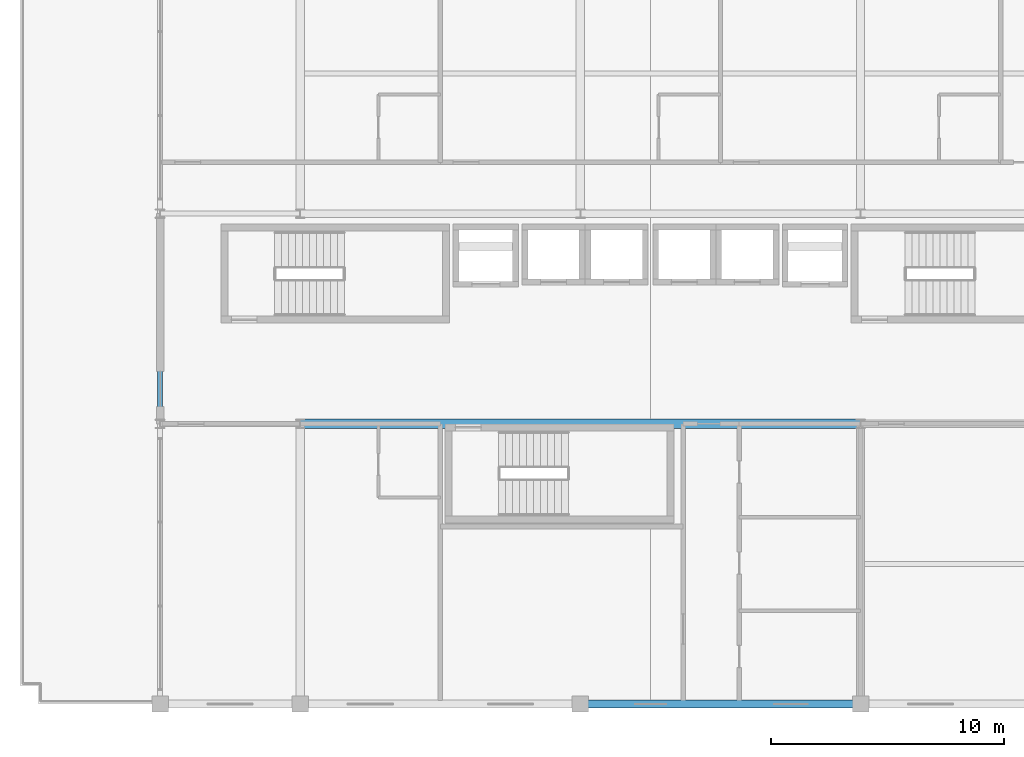
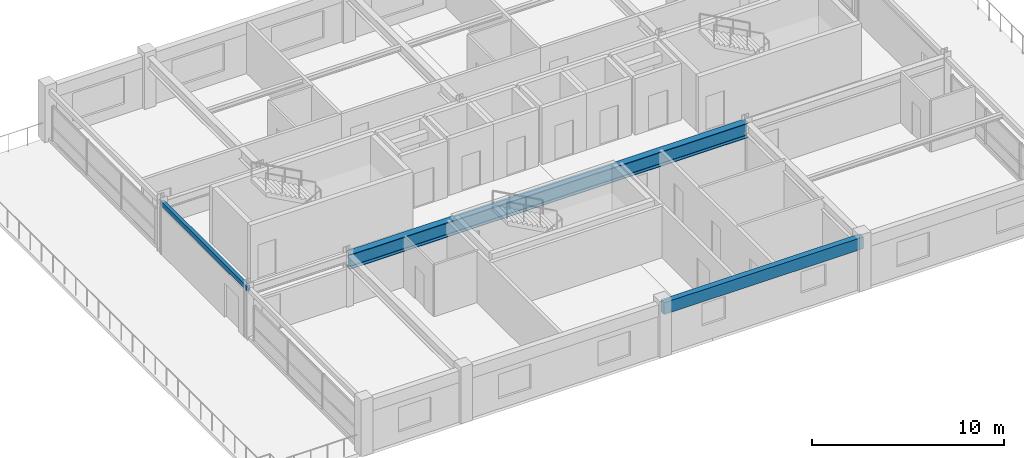
# One storey, part 5 of 24: 3 beams.
"""IFC4 building model written with IfcOpenShell, lengths in metres."""

import ifcopenshell
import ifcopenshell.guid

model = None  # the IFC model being written
_history = None  # IfcOwnerHistory: only IFC2X3 demands one
_inside = {}  # id of a spatial element -> (the spatial element, [elements in it])
_under = {}  # id of a project, library or spatial element -> (it, [spatial elements below it])
_declared = {}  # id of a project -> (the project, [libraries it declares])
_typed = {}  # id of a type object -> (the type object, [elements of that type])
_made_of = {}  # id of a material, layer set ... -> (it, [elements and type objects made of it])


def new_model(schema):
    """Start an empty IFC model of exactly this schema.

    Asked for "IFC4X3", IfcOpenShell would pick the latest addendum, in which some entities
    have other attributes; the version numbers below select the first issue.
    IFC2X3 requires an IfcOwnerHistory on every rooted entity: one is made here for all.
    """
    global model, _history
    if schema == "IFC4X3":
        model = ifcopenshell.file(schema_version=(4, 3, 0, 0))
    else:
        model = ifcopenshell.file(schema=schema)
    _inside.clear()
    _under.clear()
    _declared.clear()
    _typed.clear()
    _made_of.clear()
    _history = None
    if model.schema == "IFC2X3":
        org = make("IfcOrganization", Name="unknown")
        user = make(
            "IfcPersonAndOrganization",
            ThePerson=make("IfcPerson", FamilyName="unknown"),
            TheOrganization=org,
        )
        app = make(
            "IfcApplication",
            ApplicationDeveloper=org,
            Version="unknown",
            ApplicationFullName="unknown",
            ApplicationIdentifier="unknown",
        )
        _history = make(
            "IfcOwnerHistory",
            OwningUser=user,
            OwningApplication=app,
            ChangeAction="ADDED",
            CreationDate=0,
        )
    return model


def make(cls, **values):
    """One entity of the class cls with the attributes given. An attribute that is None is left unset."""
    return model.create_entity(
        cls, **{name: value for name, value in values.items() if value is not None}
    )


def rooted(cls, **values):
    """An entity with a GlobalId (a new one), such as an element, a storey or a relation."""
    return make(cls, GlobalId=ifcopenshell.guid.new(), OwnerHistory=_history, **values)


def si_unit(unit_type, name, prefix=None):
    """IfcSIUnit, for example si_unit("LENGTHUNIT", "METRE", prefix="MILLI")."""
    return make("IfcSIUnit", UnitType=unit_type, Prefix=prefix, Name=name)


def assignment(units):
    """IfcUnitAssignment: the units of a project."""
    return None if units is None else make("IfcUnitAssignment", Units=units)


def point(xyz):
    """IfcCartesianPoint."""
    return None if xyz is None else make("IfcCartesianPoint", Coordinates=xyz)


def direction(xyz):
    """IfcDirection."""
    return None if xyz is None else make("IfcDirection", DirectionRatios=xyz)


def frame(location, z_axis=None, x_axis=None):
    """IfcAxis2Placement3D, a coordinate frame: its origin and axes. An axis left out is left unset."""
    return make(
        "IfcAxis2Placement3D",
        Location=point(location),
        Axis=direction(z_axis),
        RefDirection=direction(x_axis),
    )


def frame_2d(location, x_axis=None):
    """IfcAxis2Placement2D, a coordinate frame in the plane: its origin and x axis."""
    return make(
        "IfcAxis2Placement2D", Location=point(location), RefDirection=direction(x_axis)
    )


def origin():
    """The frame at (0, 0, 0) with its axes left unset."""
    return frame((0.0, 0.0, 0.0))


def origin_2d():
    """The frame at (0, 0) in the plane with its x axis left unset."""
    return frame_2d((0.0, 0.0))


def place(relative_to, where):
    """IfcLocalPlacement: puts the frame where relative to a parent placement (None: the world)."""
    return make(
        "IfcLocalPlacement", PlacementRelTo=relative_to, RelativePlacement=where
    )


def context(
    kind, dimensions, precision=None, world=None, true_north=None, identifier=None
):
    """IfcGeometricRepresentationContext, for example the 3D "Model" context."""
    return make(
        "IfcGeometricRepresentationContext",
        ContextIdentifier=identifier,
        ContextType=kind,
        CoordinateSpaceDimension=dimensions,
        Precision=precision,
        WorldCoordinateSystem=world,
        TrueNorth=true_north,
    )


def subcontext(parent, identifier, kind, view, scale=None):
    """IfcGeometricRepresentationSubContext, for example "Body" below "Model"."""
    return make(
        "IfcGeometricRepresentationSubContext",
        ContextIdentifier=identifier,
        ContextType=kind,
        ParentContext=parent,
        TargetScale=scale,
        TargetView=view,
    )


def project(units=None, contexts=None):
    """IfcProject with its units and contexts."""
    return rooted(
        "IfcProject",
        Name="project",
        RepresentationContexts=contexts,
        UnitsInContext=assignment(units),
    )


def spatial(cls, under=None, at=None, **own):
    """A site, building, storey or space (cls), placed at a placement, below another one or the project."""
    s = rooted(cls, ObjectPlacement=at, **own)
    if under is not None:
        _under.setdefault(under.id(), (under, []))[1].append(s)
    return s


def profile(cls, at=None, kind="AREA", **sizes):
    """A parametric profile (cls). Its sizes go by their IFC names, for example OverallWidth=200.0."""
    return make(cls, ProfileType=kind, Position=at, **sizes)


def rectangle(**sizes):
    """IfcRectangleProfileDef."""
    return profile("IfcRectangleProfileDef", **sizes)


def hollow_rectangle(**sizes):
    """IfcRectangleHollowProfileDef."""
    return profile("IfcRectangleHollowProfileDef", **sizes)


def i_section(**sizes):
    """IfcIShapeProfileDef."""
    return profile("IfcIShapeProfileDef", **sizes)


def extrude(swept, where, along, depth):
    """IfcExtrudedAreaSolid: the profile swept, set in the frame where, extruded along a direction by depth."""
    return make(
        "IfcExtrudedAreaSolid",
        SweptArea=swept,
        Position=where,
        ExtrudedDirection=direction(along),
        Depth=depth,
    )


def shape(context_of_items, identifier, shape_type, items):
    """IfcShapeRepresentation: the items that make up one representation, for example the "Body"."""
    return make(
        "IfcShapeRepresentation",
        ContextOfItems=context_of_items,
        RepresentationIdentifier=identifier,
        RepresentationType=shape_type,
        Items=items,
    )


def material(Name=None, Category=None):
    """IfcMaterial."""
    return make("IfcMaterial", Name=Name, Category=Category)


def material_profile(
    of_material, cross_section, Name=None, Category=None, Priority=None
):
    """IfcMaterialProfile: a cross section and its material."""
    return make(
        "IfcMaterialProfile",
        Name=Name,
        Material=of_material,
        Profile=cross_section,
        Priority=Priority,
        Category=Category,
    )


def profile_set(profiles, Name=None, composite=None):
    """IfcMaterialProfileSet."""
    return make(
        "IfcMaterialProfileSet",
        Name=Name,
        MaterialProfiles=profiles,
        CompositeProfile=composite,
    )


def made_of(thing, what):
    """Note that an element or type object is made of a material, layer set ...; save() writes the relation."""
    if what is not None:
        _made_of.setdefault(what.id(), (what, []))[1].append(thing)
    return thing


def type_object(cls, material=None, **own):
    """A type object (cls), such as IfcWallType, which elements share."""
    return made_of(rooted(cls, **own), material)


def element(
    cls,
    number,
    at=None,
    inside=None,
    cuts=None,
    type_object=None,
    material=None,
    context=None,
    identifier="Body",
    shape_type=None,
    held_by="IfcProductDefinitionShape",
    body=None,
    shapes=None,
    **own,
):
    """One element of the class cls, such as IfcWall. Its Tag is "e" and its number.

    at: its placement. inside: the storey or other place that contains it. cuts: it is an
    opening in that element (IfcRelVoidsElement). A single representation is given by context,
    identifier, shape_type and body (its items); several are given by shapes. held_by: the class
    of the entity that holds the representations. save() writes the other relations.
    """
    e = rooted(cls, Tag="e%d" % number, ObjectPlacement=at, **own)
    if body is not None:
        shapes = [shape(context, identifier, shape_type, body)]
    if shapes is not None:
        e.Representation = make(held_by, Representations=shapes)
    if inside is not None:
        _inside.setdefault(inside.id(), (inside, []))[1].append(e)
    if cuts is not None:
        rooted(
            "IfcRelVoidsElement", RelatingBuildingElement=cuts, RelatedOpeningElement=e
        )
    if type_object is not None:
        _typed.setdefault(type_object.id(), (type_object, []))[1].append(e)
    return made_of(e, material)


def aggregate(whole, parts):
    """IfcRelAggregates: a whole, such as a stair, and the parts it consists of."""
    return rooted("IfcRelAggregates", RelatingObject=whole, RelatedObjects=parts)


def save(model, path):
    """Write the relations noted so far, then the file.

    IfcRelAggregates (storeys below a building ...), IfcRelContainedInSpatialStructure (elements
    in a storey), IfcRelDefinesByType, IfcRelAssociatesMaterial and IfcRelDeclares: one each for
    every whole, place, type object, material and project.
    """
    for whole, parts in _under.values():
        aggregate(whole, parts)
    for where, things in _inside.values():
        rooted(
            "IfcRelContainedInSpatialStructure",
            RelatedElements=things,
            RelatingStructure=where,
        )
    for kind, things in _typed.values():
        rooted("IfcRelDefinesByType", RelatedObjects=things, RelatingType=kind)
    for what, things in _made_of.values():
        rooted("IfcRelAssociatesMaterial", RelatedObjects=things, RelatingMaterial=what)
    for by, libraries in _declared.values():
        rooted("IfcRelDeclares", RelatingContext=by, RelatedDefinitions=libraries)
    model.write(path)


model = new_model("IFC4")

# Units and contexts
model_context = context("Model", 3, precision=1e-05, world=origin(), true_north=direction((0.0, 1.0)))
body_context = subcontext(model_context, "Body", "Model", "MODEL_VIEW")
ifc_project = project(units=[si_unit("LENGTHUNIT", "METRE"), si_unit("AREAUNIT", "SQUARE_METRE"), si_unit("VOLUMEUNIT", "CUBIC_METRE"), si_unit("PLANEANGLEUNIT", "RADIAN"), si_unit("MASSUNIT", "GRAM", prefix="KILO")], contexts=[model_context])

# Site, building, storey
site_placement = place(None, origin())
site = spatial("IfcSite", under=ifc_project, at=site_placement, CompositionType="ELEMENT")
building_placement = place(site_placement, origin())
building = spatial("IfcBuilding", under=site, at=building_placement, Name="Kaldorvane Square Convention Centre", CompositionType="ELEMENT")
storey_placement = place(building_placement, frame((0.0, 0.0, 60.0)))
storey = spatial("IfcBuildingStorey", under=building, at=storey_placement, Name="L14", CompositionType="ELEMENT", Elevation=60.0)

# Beams
ifc_material_1 = material(Name="Steel ASTM A992 Gr. 50", Category="steel")
ifc_material_profile_1 = material_profile(ifc_material_1, i_section(OverallWidth=0.418304443359375, OverallDepth=0.926605224609375, WebThickness=0.0193023681640625, FlangeThickness=0.0319976806640625, FilletRadius=0.0240936279296875, at=origin_2d()), Name="W36X231")
ifc_profile_set_1 = profile_set([ifc_material_profile_1], Name="Steel ASTM A992 Gr. 50")
beam_type_1 = type_object("IfcBeamType", Name="BM-GR-W36X231", PredefinedType="BEAM", material=ifc_profile_set_1)
beam_1_placement = place(storey_placement, frame((42.0, 96.0, 2.82269287109375), z_axis=(1.0, 0.0, 0.0), x_axis=(0.0, 1.0, 0.0)))
element("IfcBeam", 1, at=beam_1_placement, inside=storey, type_object=beam_type_1, Name="Primary Girder (L14)", PredefinedType="BEAM", context=body_context, shape_type="SweptSolid", body=[
    extrude(i_section(OverallWidth=0.418304443359375, OverallDepth=0.926605224609375, WebThickness=0.0193023681640625, FlangeThickness=0.0319976806640625, FilletRadius=0.0240936279296875, at=origin_2d()), origin(), (0.0, 0.0, 1.0), 24.0),
])
ifc_material_2 = material(Name="Steel ASTM A500 Gr. C", Category="steel")
ifc_material_profile_2 = material_profile(ifc_material_2, hollow_rectangle(XDim=0.2032012939453125, YDim=0.3047943115234375, WallThickness=0.0088958740234375, at=origin_2d()), Name="HSS12X8X3/8")
ifc_profile_set_2 = profile_set([ifc_material_profile_2], Name="Steel ASTM A500 Gr. C")
beam_type_2 = type_object("IfcBeamType", Name="BM-SP-HSS12", PredefinedType="SPANDREL", material=ifc_profile_set_2)
beam_2_placement = place(storey_placement, frame((36.0, 96.0, 3.13360595703125), z_axis=(0.0, 1.0, 0.0), x_axis=(-1.0, 0.0, 0.0)))
element("IfcBeam", 2, at=beam_2_placement, inside=storey, type_object=beam_type_2, Name="End Spandrel (L14)", PredefinedType="SPANDREL", context=body_context, shape_type="SweptSolid", body=[
    extrude(hollow_rectangle(XDim=0.2032012939453125, YDim=0.3047943115234375, WallThickness=0.0088958740234375, at=origin_2d()), origin(), (0.0, 0.0, 1.0), 9.0),
])
ifc_material_3 = material(Name="Concrete f'c = 42 MPa (Normalweight)", Category="concrete")
ifc_material_profile_3 = material_profile(ifc_material_3, rectangle(XDim=0.350006103515625, YDim=0.75, at=origin_2d()), Name="RCSP750X350")
ifc_profile_set_3 = profile_set([ifc_material_profile_3], Name="Concrete f'c = 42 MPa (Normalweight)")
beam_type_3 = type_object("IfcBeamType", Name="BM-SP-RC750", PredefinedType="SPANDREL", material=ifc_profile_set_3)
beam_3_placement = place(storey_placement, frame((54.0, 84.0, 2.9109954833984375), z_axis=(1.0, 0.0, 0.0), x_axis=(0.0, 1.0, 0.0)))
element("IfcBeam", 3, at=beam_3_placement, inside=storey, type_object=beam_type_3, Name="Perimeter Spandrel (L14)", PredefinedType="SPANDREL", context=body_context, shape_type="SweptSolid", body=[
    extrude(rectangle(XDim=0.350006103515625, YDim=0.75, at=origin_2d()), origin(), (0.0, 0.0, 1.0), 12.0),
])

save(model, "model.ifc")
